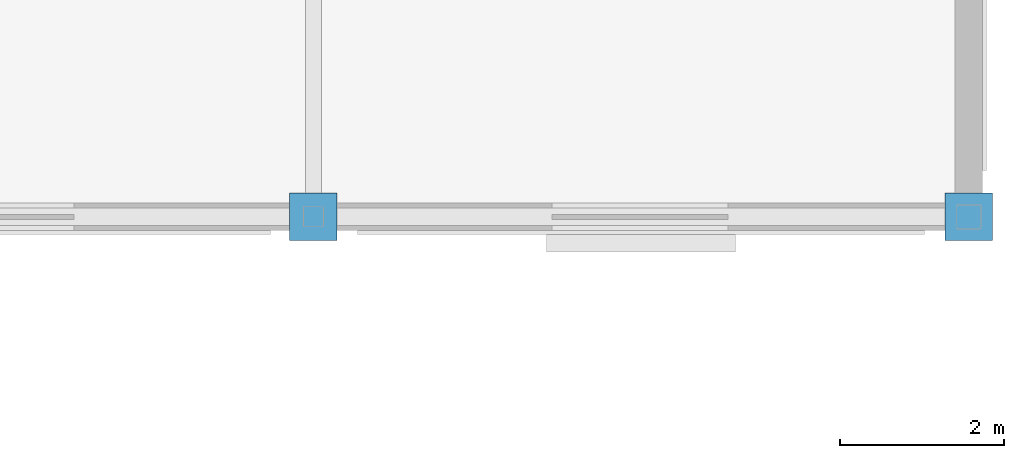
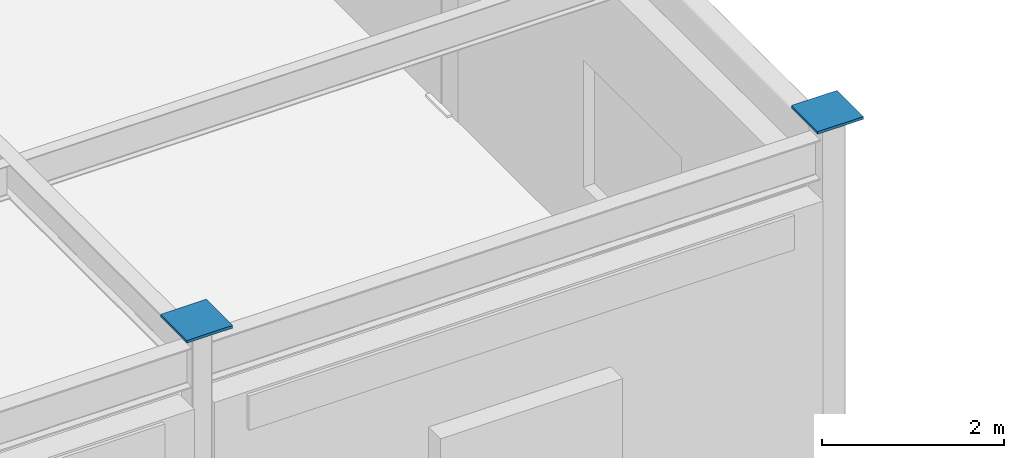
# One storey, part 104 of 117: 2 discrete accessories.
"""IFC4 building model written with IfcOpenShell, lengths in metres."""

import ifcopenshell
import ifcopenshell.guid

model = None  # the IFC model being written
_history = None  # IfcOwnerHistory: only IFC2X3 demands one
_inside = {}  # id of a spatial element -> (the spatial element, [elements in it])
_under = {}  # id of a project, library or spatial element -> (it, [spatial elements below it])
_declared = {}  # id of a project -> (the project, [libraries it declares])
_typed = {}  # id of a type object -> (the type object, [elements of that type])
_made_of = {}  # id of a material, layer set ... -> (it, [elements and type objects made of it])


def new_model(schema):
    """Start an empty IFC model of exactly this schema.

    Asked for "IFC4X3", IfcOpenShell would pick the latest addendum, in which some entities
    have other attributes; the version numbers below select the first issue.
    IFC2X3 requires an IfcOwnerHistory on every rooted entity: one is made here for all.
    """
    global model, _history
    if schema == "IFC4X3":
        model = ifcopenshell.file(schema_version=(4, 3, 0, 0))
    else:
        model = ifcopenshell.file(schema=schema)
    _inside.clear()
    _under.clear()
    _declared.clear()
    _typed.clear()
    _made_of.clear()
    _history = None
    if model.schema == "IFC2X3":
        org = make("IfcOrganization", Name="unknown")
        user = make(
            "IfcPersonAndOrganization",
            ThePerson=make("IfcPerson", FamilyName="unknown"),
            TheOrganization=org,
        )
        app = make(
            "IfcApplication",
            ApplicationDeveloper=org,
            Version="unknown",
            ApplicationFullName="unknown",
            ApplicationIdentifier="unknown",
        )
        _history = make(
            "IfcOwnerHistory",
            OwningUser=user,
            OwningApplication=app,
            ChangeAction="ADDED",
            CreationDate=0,
        )
    return model


def make(cls, **values):
    """One entity of the class cls with the attributes given. An attribute that is None is left unset."""
    return model.create_entity(
        cls, **{name: value for name, value in values.items() if value is not None}
    )


def rooted(cls, **values):
    """An entity with a GlobalId (a new one), such as an element, a storey or a relation."""
    return make(cls, GlobalId=ifcopenshell.guid.new(), OwnerHistory=_history, **values)


def si_unit(unit_type, name, prefix=None):
    """IfcSIUnit, for example si_unit("LENGTHUNIT", "METRE", prefix="MILLI")."""
    return make("IfcSIUnit", UnitType=unit_type, Prefix=prefix, Name=name)


def assignment(units):
    """IfcUnitAssignment: the units of a project."""
    return None if units is None else make("IfcUnitAssignment", Units=units)


def point(xyz):
    """IfcCartesianPoint."""
    return None if xyz is None else make("IfcCartesianPoint", Coordinates=xyz)


def direction(xyz):
    """IfcDirection."""
    return None if xyz is None else make("IfcDirection", DirectionRatios=xyz)


def frame(location, z_axis=None, x_axis=None):
    """IfcAxis2Placement3D, a coordinate frame: its origin and axes. An axis left out is left unset."""
    return make(
        "IfcAxis2Placement3D",
        Location=point(location),
        Axis=direction(z_axis),
        RefDirection=direction(x_axis),
    )


def frame_2d(location, x_axis=None):
    """IfcAxis2Placement2D, a coordinate frame in the plane: its origin and x axis."""
    return make(
        "IfcAxis2Placement2D", Location=point(location), RefDirection=direction(x_axis)
    )


def origin():
    """The frame at (0, 0, 0) with its axes left unset."""
    return frame((0.0, 0.0, 0.0))


def origin_2d():
    """The frame at (0, 0) in the plane with its x axis left unset."""
    return frame_2d((0.0, 0.0))


def place(relative_to, where):
    """IfcLocalPlacement: puts the frame where relative to a parent placement (None: the world)."""
    return make(
        "IfcLocalPlacement", PlacementRelTo=relative_to, RelativePlacement=where
    )


def context(
    kind, dimensions, precision=None, world=None, true_north=None, identifier=None
):
    """IfcGeometricRepresentationContext, for example the 3D "Model" context."""
    return make(
        "IfcGeometricRepresentationContext",
        ContextIdentifier=identifier,
        ContextType=kind,
        CoordinateSpaceDimension=dimensions,
        Precision=precision,
        WorldCoordinateSystem=world,
        TrueNorth=true_north,
    )


def subcontext(parent, identifier, kind, view, scale=None):
    """IfcGeometricRepresentationSubContext, for example "Body" below "Model"."""
    return make(
        "IfcGeometricRepresentationSubContext",
        ContextIdentifier=identifier,
        ContextType=kind,
        ParentContext=parent,
        TargetScale=scale,
        TargetView=view,
    )


def project(units=None, contexts=None):
    """IfcProject with its units and contexts."""
    return rooted(
        "IfcProject",
        Name="project",
        RepresentationContexts=contexts,
        UnitsInContext=assignment(units),
    )


def spatial(cls, under=None, at=None, **own):
    """A site, building, storey or space (cls), placed at a placement, below another one or the project."""
    s = rooted(cls, ObjectPlacement=at, **own)
    if under is not None:
        _under.setdefault(under.id(), (under, []))[1].append(s)
    return s


def profile(cls, at=None, kind="AREA", **sizes):
    """A parametric profile (cls). Its sizes go by their IFC names, for example OverallWidth=200.0."""
    return make(cls, ProfileType=kind, Position=at, **sizes)


def rectangle(**sizes):
    """IfcRectangleProfileDef."""
    return profile("IfcRectangleProfileDef", **sizes)


def extrude(swept, where, along, depth):
    """IfcExtrudedAreaSolid: the profile swept, set in the frame where, extruded along a direction by depth."""
    return make(
        "IfcExtrudedAreaSolid",
        SweptArea=swept,
        Position=where,
        ExtrudedDirection=direction(along),
        Depth=depth,
    )


def shape(context_of_items, identifier, shape_type, items):
    """IfcShapeRepresentation: the items that make up one representation, for example the "Body"."""
    return make(
        "IfcShapeRepresentation",
        ContextOfItems=context_of_items,
        RepresentationIdentifier=identifier,
        RepresentationType=shape_type,
        Items=items,
    )


def material(Name=None, Category=None):
    """IfcMaterial."""
    return make("IfcMaterial", Name=Name, Category=Category)


def layer(
    of_material, thickness, ventilated=None, Name=None, Category=None, Priority=None
):
    """IfcMaterialLayer: one layer of a wall or slab, of a material (None: an air gap)."""
    return make(
        "IfcMaterialLayer",
        Material=of_material,
        LayerThickness=thickness,
        IsVentilated=ventilated,
        Name=Name,
        Category=Category,
        Priority=Priority,
    )


def layer_set(layers, Name=None):
    """IfcMaterialLayerSet."""
    return make("IfcMaterialLayerSet", MaterialLayers=layers, LayerSetName=Name)


def made_of(thing, what):
    """Note that an element or type object is made of a material, layer set ...; save() writes the relation."""
    if what is not None:
        _made_of.setdefault(what.id(), (what, []))[1].append(thing)
    return thing


def type_object(cls, material=None, **own):
    """A type object (cls), such as IfcWallType, which elements share."""
    return made_of(rooted(cls, **own), material)


def element(
    cls,
    number,
    at=None,
    inside=None,
    cuts=None,
    type_object=None,
    material=None,
    context=None,
    identifier="Body",
    shape_type=None,
    held_by="IfcProductDefinitionShape",
    body=None,
    shapes=None,
    **own,
):
    """One element of the class cls, such as IfcWall. Its Tag is "e" and its number.

    at: its placement. inside: the storey or other place that contains it. cuts: it is an
    opening in that element (IfcRelVoidsElement). A single representation is given by context,
    identifier, shape_type and body (its items); several are given by shapes. held_by: the class
    of the entity that holds the representations. save() writes the other relations.
    """
    e = rooted(cls, Tag="e%d" % number, ObjectPlacement=at, **own)
    if body is not None:
        shapes = [shape(context, identifier, shape_type, body)]
    if shapes is not None:
        e.Representation = make(held_by, Representations=shapes)
    if inside is not None:
        _inside.setdefault(inside.id(), (inside, []))[1].append(e)
    if cuts is not None:
        rooted(
            "IfcRelVoidsElement", RelatingBuildingElement=cuts, RelatedOpeningElement=e
        )
    if type_object is not None:
        _typed.setdefault(type_object.id(), (type_object, []))[1].append(e)
    return made_of(e, material)


def aggregate(whole, parts):
    """IfcRelAggregates: a whole, such as a stair, and the parts it consists of."""
    return rooted("IfcRelAggregates", RelatingObject=whole, RelatedObjects=parts)


def save(model, path):
    """Write the relations noted so far, then the file.

    IfcRelAggregates (storeys below a building ...), IfcRelContainedInSpatialStructure (elements
    in a storey), IfcRelDefinesByType, IfcRelAssociatesMaterial and IfcRelDeclares: one each for
    every whole, place, type object, material and project.
    """
    for whole, parts in _under.values():
        aggregate(whole, parts)
    for where, things in _inside.values():
        rooted(
            "IfcRelContainedInSpatialStructure",
            RelatedElements=things,
            RelatingStructure=where,
        )
    for kind, things in _typed.values():
        rooted("IfcRelDefinesByType", RelatedObjects=things, RelatingType=kind)
    for what, things in _made_of.values():
        rooted("IfcRelAssociatesMaterial", RelatedObjects=things, RelatingMaterial=what)
    for by, libraries in _declared.values():
        rooted("IfcRelDeclares", RelatingContext=by, RelatedDefinitions=libraries)
    model.write(path)


model = new_model("IFC4")

# Units and contexts
model_context = context("Model", 3, precision=1e-05, world=origin(), true_north=direction((0.0, 1.0)))
body_context = subcontext(model_context, "Body", "Model", "MODEL_VIEW")
ifc_project = project(units=[si_unit("LENGTHUNIT", "METRE"), si_unit("AREAUNIT", "SQUARE_METRE"), si_unit("VOLUMEUNIT", "CUBIC_METRE"), si_unit("PLANEANGLEUNIT", "RADIAN"), si_unit("MASSUNIT", "GRAM", prefix="KILO")], contexts=[model_context])

# Site, building, storey
site_placement = place(None, origin())
site = spatial("IfcSite", under=ifc_project, at=site_placement, CompositionType="ELEMENT")
building_placement = place(site_placement, origin())
building = spatial("IfcBuilding", under=site, at=building_placement, Name="Solmirada Galleria", CompositionType="ELEMENT")
storey_placement = place(building_placement, frame((0.0, 0.0, 5.60009765625)))
storey = spatial("IfcBuildingStorey", under=building, at=storey_placement, Name="L01", CompositionType="ELEMENT", Elevation=5.60009765625)

# Discrete accessories
ifc_material = material(Name="Steel S355 / ASTM A572 Grade 50", Category="steel")
ifc_layer = layer(ifc_material, 0.031982421875)
ifc_layer_set = layer_set([ifc_layer], Name="Steel S355 / ASTM A572 Grade 50")
discrete_accessory_type = type_object("IfcDiscreteAccessoryType", Name="ACC-COL-CAP", PredefinedType="BRACKET", material=ifc_layer_set)
for number, where, z_axis, x_axis, name in (
    (1, (168.0, 72.0, 4.7939453125), (0.0, 0.0, 1.0), (1.0, 0.0, 0.0), "Hollow column cap plate L01-1459"),
    (2, (176.0, 72.0, 4.7939453125), (0.0, 0.0, 1.0), (1.0, 0.0, 0.0), "Hollow column cap plate L01-1532"),
):
    element("IfcDiscreteAccessory", number, at=place(storey_placement, frame(where, z_axis=z_axis, x_axis=x_axis)), inside=storey, type_object=discrete_accessory_type, Name=name, PredefinedType="BRACKET", context=body_context, shape_type="SweptSolid", body=[
        extrude(rectangle(XDim=0.580078125, YDim=0.580078125, at=origin_2d()), origin(), (0.0, 0.0, 1.0), 0.035888671875),
    ])

save(model, "model.ifc")
